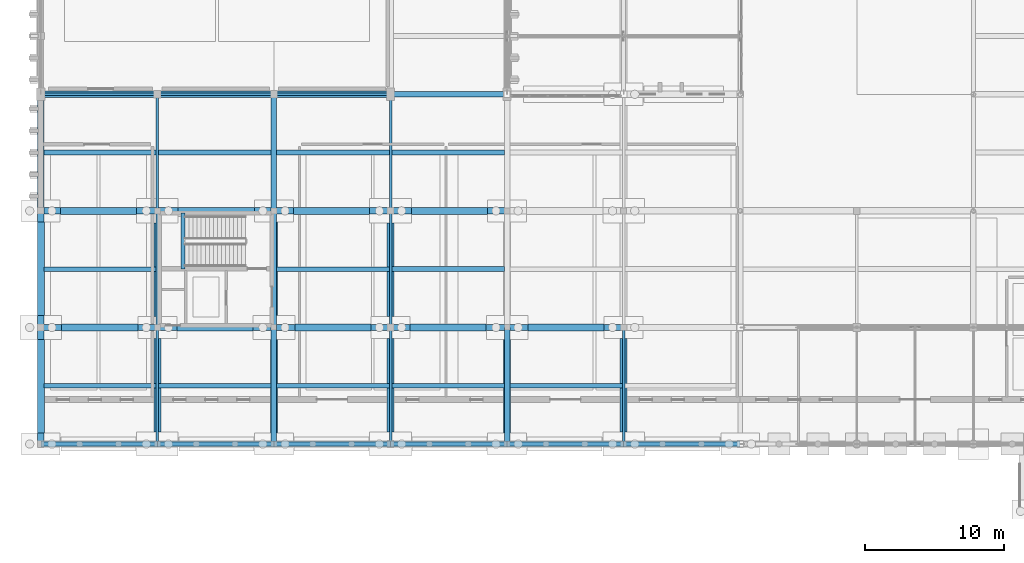
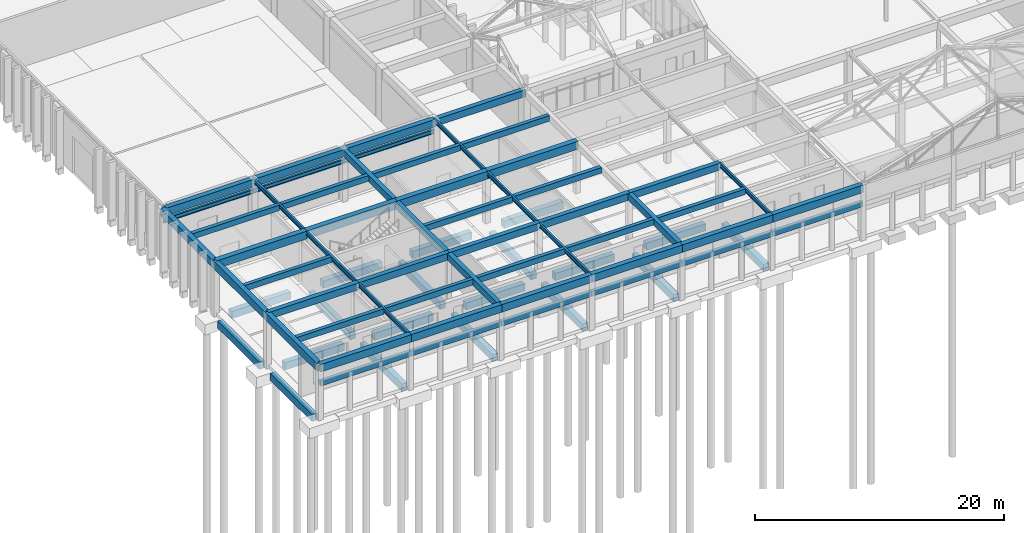
# One storey, part 21 of 143: 74 beams.
"""IFC4 building model written with IfcOpenShell, lengths in metres."""

from ifc_helpers import new_model, si_unit, direction, frame, origin, origin_2d, place, context, subcontext, project, spatial, rectangle, i_section, extrude, material, material_profile, profile_set, type_object, element, save


model = new_model("IFC4")

# Units and contexts
model_context = context("Model", 3, precision=1e-05, world=origin(), true_north=direction((0.0, 1.0)))
body_context = subcontext(model_context, "Body", "Model", "MODEL_VIEW")
ifc_project = project(units=[si_unit("LENGTHUNIT", "METRE"), si_unit("AREAUNIT", "SQUARE_METRE"), si_unit("VOLUMEUNIT", "CUBIC_METRE"), si_unit("PLANEANGLEUNIT", "RADIAN"), si_unit("MASSUNIT", "GRAM", prefix="KILO")], contexts=[model_context])

# Site, building, storey
site_placement = place(None, origin())
site = spatial("IfcSite", under=ifc_project, at=site_placement, CompositionType="ELEMENT")
building_placement = place(site_placement, origin())
building = spatial("IfcBuilding", under=site, at=building_placement, Name="Kveldsbrygga Polytechnic", CompositionType="ELEMENT")
storey_placement = place(building_placement, origin())
storey = spatial("IfcBuildingStorey", under=building, at=storey_placement, Name="L00", CompositionType="ELEMENT", Elevation=0.0)

# Beams
ifc_material_1 = material(Name="Concrete C35/45", Category="concrete")
ifc_material_profile_1 = material_profile(ifc_material_1, rectangle(XDim=0.39990234375, YDim=0.64990234375, at=origin_2d()), Name="RC 400x650")
ifc_profile_set_1 = profile_set([ifc_material_profile_1], Name="Concrete C35/45")
beam_type_1 = type_object("IfcBeamType", Name="BM-RC-400x650", PredefinedType="BEAM", material=ifc_profile_set_1)
beam_1_placement = place(storey_placement, frame((16.800048828125, 0.0, 4.81494140625), z_axis=(0.0, 1.0, 0.0), x_axis=(-1.0, 0.0, 0.0)))
element("IfcBeam", 1, at=beam_1_placement, inside=storey, type_object=beam_type_1, Name="Primary Beam BMY-L00-02-00to01", PredefinedType="BEAM", context=body_context, shape_type="SweptSolid", body=[
    extrude(rectangle(XDim=0.39990234375, YDim=0.64990234375, at=origin_2d()), origin(), (0.0, 0.0, 1.0), 8.39990234375),
])
beam_2_placement = place(storey_placement, frame((16.800048828125, 8.39990234375, 4.81494140625), z_axis=(0.0, 1.0, 0.0), x_axis=(-1.0, 0.0, 0.0)))
element("IfcBeam", 2, at=beam_2_placement, inside=storey, type_object=beam_type_1, Name="Primary Beam BMY-L00-02-01to02", PredefinedType="BEAM", context=body_context, shape_type="SweptSolid", body=[
    extrude(rectangle(XDim=0.39990234375, YDim=0.64990234375, at=origin_2d()), origin(), (0.0, 0.0, 1.0), 8.400146484375),
])
for number, where, z_axis, x_axis, name in (
    (3, (16.800048828125, 16.800048828125, 4.81494140625), (0.0, 1.0, 0.0), (-1.0, 0.0, 0.0), "Primary Beam BMY-L00-02-02to03"),
    (4, (33.60009765625, 0.0, 4.81494140625), (0.0, 1.0, 0.0), (-1.0, 0.0, 0.0), "Primary Beam BMY-L00-04-00to01"),
):
    element("IfcBeam", number, at=place(storey_placement, frame(where, z_axis=z_axis, x_axis=x_axis)), inside=storey, type_object=beam_type_1, Name=name, PredefinedType="BEAM", context=body_context, shape_type="SweptSolid", body=[
        extrude(rectangle(XDim=0.39990234375, YDim=0.64990234375, at=origin_2d()), origin(), (0.0, 0.0, 1.0), 8.39990234375),
    ])
ifc_material_profile_2 = material_profile(ifc_material_1, rectangle(XDim=0.419921875, YDim=0.679931640625, at=origin_2d()), Name="RC 420x680")
ifc_profile_set_2 = profile_set([ifc_material_profile_2], Name="Concrete C35/45")
beam_type_2 = type_object("IfcBeamType", Name="BM-RC-420x680", PredefinedType="BEAM", material=ifc_profile_set_2)
beam_3_placement = place(storey_placement, frame((0.0, 8.39990234375, 4.800048828125), z_axis=(1.0, 0.0, 0.0), x_axis=(0.0, 1.0, 0.0)))
element("IfcBeam", 5, at=beam_3_placement, inside=storey, type_object=beam_type_2, Name="Primary Beam BMX-L00-00to01-01", PredefinedType="BEAM", context=body_context, shape_type="SweptSolid", body=[
    extrude(rectangle(XDim=0.419921875, YDim=0.679931640625, at=origin_2d()), origin(), (0.0, 0.0, 1.0), 8.39990234375),
])
beam_4_placement = place(storey_placement, frame((8.39990234375, 8.39990234375, 4.800048828125), z_axis=(1.0, 0.0, 0.0), x_axis=(0.0, 1.0, 0.0)))
element("IfcBeam", 6, at=beam_4_placement, inside=storey, type_object=beam_type_2, Name="Primary Beam BMX-L00-01to02-01", PredefinedType="BEAM", context=body_context, shape_type="SweptSolid", body=[
    extrude(rectangle(XDim=0.419921875, YDim=0.679931640625, at=origin_2d()), origin(), (0.0, 0.0, 1.0), 8.400146484375),
])
beam_5_placement = place(storey_placement, frame((16.800048828125, 8.39990234375, 4.800048828125), z_axis=(1.0, 0.0, 0.0), x_axis=(0.0, 1.0, 0.0)))
element("IfcBeam", 7, at=beam_5_placement, inside=storey, type_object=beam_type_2, Name="Primary Beam BMX-L00-02to03-01", PredefinedType="BEAM", context=body_context, shape_type="SweptSolid", body=[
    extrude(rectangle(XDim=0.419921875, YDim=0.679931640625, at=origin_2d()), origin(), (0.0, 0.0, 1.0), 8.39990234375),
])
beam_6_placement = place(storey_placement, frame((25.199951171875, 8.39990234375, 4.800048828125), z_axis=(1.0, 0.0, 0.0), x_axis=(0.0, 1.0, 0.0)))
element("IfcBeam", 8, at=beam_6_placement, inside=storey, type_object=beam_type_2, Name="Primary Beam BMX-L00-03to04-01", PredefinedType="BEAM", context=body_context, shape_type="SweptSolid", body=[
    extrude(rectangle(XDim=0.419921875, YDim=0.679931640625, at=origin_2d()), origin(), (0.0, 0.0, 1.0), 8.400146484375),
])
beam_7_placement = place(storey_placement, frame((33.60009765625, 8.39990234375, 4.800048828125), z_axis=(1.0, 0.0, 0.0), x_axis=(0.0, 1.0, 0.0)))
element("IfcBeam", 9, at=beam_7_placement, inside=storey, type_object=beam_type_2, Name="Primary Beam BMX-L00-04to05-01", PredefinedType="BEAM", context=body_context, shape_type="SweptSolid", body=[
    extrude(rectangle(XDim=0.419921875, YDim=0.679931640625, at=origin_2d()), origin(), (0.0, 0.0, 1.0), 8.39990234375),
])
beam_8_placement = place(storey_placement, frame((25.199951171875, 25.199951171875, 4.760009765625), z_axis=(1.0, 0.0, 0.0), x_axis=(0.0, 1.0, 0.0)))
element("IfcBeam", 10, at=beam_8_placement, inside=storey, type_object=beam_type_2, Name="Primary Beam BMX-L00-03to04-03", PredefinedType="BEAM", context=body_context, shape_type="SweptSolid", body=[
    extrude(rectangle(XDim=0.419921875, YDim=0.679931640625, at=origin_2d()), origin(), (0.0, 0.0, 1.0), 8.400146484375),
])
ifc_material_profile_3 = material_profile(ifc_material_1, rectangle(XDim=0.449951171875, YDim=0.75, at=origin_2d()), Name="RC 450x750")
ifc_profile_set_3 = profile_set([ifc_material_profile_3], Name="Concrete C35/45")
beam_type_3 = type_object("IfcBeamType", Name="BM-RC-450x750", PredefinedType="BEAM", material=ifc_profile_set_3)
beam_9_placement = place(storey_placement, frame((0.0, 25.199951171875, 4.764892578125), z_axis=(1.0, 0.0, 0.0), x_axis=(0.0, 1.0, 0.0)))
element("IfcBeam", 11, at=beam_9_placement, inside=storey, type_object=beam_type_3, Name="Primary Beam BMX-L00-00to01-03", PredefinedType="BEAM", context=body_context, shape_type="SweptSolid", body=[
    extrude(rectangle(XDim=0.449951171875, YDim=0.75, at=origin_2d()), origin(), (0.0, 0.0, 1.0), 8.39990234375),
])
beam_10_placement = place(storey_placement, frame((8.39990234375, 25.199951171875, 4.764892578125), z_axis=(1.0, 0.0, 0.0), x_axis=(0.0, 1.0, 0.0)))
element("IfcBeam", 12, at=beam_10_placement, inside=storey, type_object=beam_type_3, Name="Primary Beam BMX-L00-01to02-03", PredefinedType="BEAM", context=body_context, shape_type="SweptSolid", body=[
    extrude(rectangle(XDim=0.449951171875, YDim=0.75, at=origin_2d()), origin(), (0.0, 0.0, 1.0), 8.400146484375),
])
for number, where, z_axis, x_axis, name in (
    (13, (16.800048828125, 25.199951171875, 4.764892578125), (1.0, 0.0, 0.0), (0.0, 1.0, 0.0), "Primary Beam BMX-L00-02to03-03"),
    (14, (0.0, 0.0, 4.764892578125), (0.0, 1.0, 0.0), (-1.0, 0.0, 0.0), "Primary Beam BMY-L00-00-00to01"),
):
    element("IfcBeam", number, at=place(storey_placement, frame(where, z_axis=z_axis, x_axis=x_axis)), inside=storey, type_object=beam_type_3, Name=name, PredefinedType="BEAM", context=body_context, shape_type="SweptSolid", body=[
        extrude(rectangle(XDim=0.449951171875, YDim=0.75, at=origin_2d()), origin(), (0.0, 0.0, 1.0), 8.39990234375),
    ])
beam_11_placement = place(storey_placement, frame((0.0, 8.39990234375, 4.764892578125), z_axis=(0.0, 1.0, 0.0), x_axis=(-1.0, 0.0, 0.0)))
element("IfcBeam", 15, at=beam_11_placement, inside=storey, type_object=beam_type_3, Name="Primary Beam BMY-L00-00-01to02", PredefinedType="BEAM", context=body_context, shape_type="SweptSolid", body=[
    extrude(rectangle(XDim=0.449951171875, YDim=0.75, at=origin_2d()), origin(), (0.0, 0.0, 1.0), 8.400146484375),
])
beam_12_placement = place(storey_placement, frame((0.0, 16.800048828125, 4.764892578125), z_axis=(0.0, 1.0, 0.0), x_axis=(-1.0, 0.0, 0.0)))
element("IfcBeam", 16, at=beam_12_placement, inside=storey, type_object=beam_type_3, Name="Primary Beam BMY-L00-00-02to03", PredefinedType="BEAM", context=body_context, shape_type="SweptSolid", body=[
    extrude(rectangle(XDim=0.449951171875, YDim=0.75, at=origin_2d()), origin(), (0.0, 0.0, 1.0), 8.39990234375),
])
ifc_material_profile_4 = material_profile(ifc_material_1, rectangle(XDim=0.4599609375, YDim=0.739990234375, at=origin_2d()), Name="RC 460x740")
ifc_profile_set_4 = profile_set([ifc_material_profile_4], Name="Concrete C35/45")
beam_type_4 = type_object("IfcBeamType", Name="BM-RC-460x740", PredefinedType="BEAM", material=ifc_profile_set_4)
beam_13_placement = place(storey_placement, frame((0.0, 0.0, 4.77001953125), z_axis=(1.0, 0.0, 0.0), x_axis=(0.0, 1.0, 0.0)))
element("IfcBeam", 17, at=beam_13_placement, inside=storey, type_object=beam_type_4, Name="Primary Beam BMX-L00-00to01-00", PredefinedType="BEAM", context=body_context, shape_type="SweptSolid", body=[
    extrude(rectangle(XDim=0.4599609375, YDim=0.739990234375, at=origin_2d()), origin(), (0.0, 0.0, 1.0), 8.39990234375),
])
beam_14_placement = place(storey_placement, frame((8.39990234375, 0.0, 4.77001953125), z_axis=(1.0, 0.0, 0.0), x_axis=(0.0, 1.0, 0.0)))
element("IfcBeam", 18, at=beam_14_placement, inside=storey, type_object=beam_type_4, Name="Primary Beam BMX-L00-01to02-00", PredefinedType="BEAM", context=body_context, shape_type="SweptSolid", body=[
    extrude(rectangle(XDim=0.4599609375, YDim=0.739990234375, at=origin_2d()), origin(), (0.0, 0.0, 1.0), 8.400146484375),
])
beam_15_placement = place(storey_placement, frame((16.800048828125, 0.0, 4.77001953125), z_axis=(1.0, 0.0, 0.0), x_axis=(0.0, 1.0, 0.0)))
element("IfcBeam", 19, at=beam_15_placement, inside=storey, type_object=beam_type_4, Name="Primary Beam BMX-L00-02to03-00", PredefinedType="BEAM", context=body_context, shape_type="SweptSolid", body=[
    extrude(rectangle(XDim=0.4599609375, YDim=0.739990234375, at=origin_2d()), origin(), (0.0, 0.0, 1.0), 8.39990234375),
])
beam_16_placement = place(storey_placement, frame((25.199951171875, 0.0, 4.77001953125), z_axis=(1.0, 0.0, 0.0), x_axis=(0.0, 1.0, 0.0)))
element("IfcBeam", 20, at=beam_16_placement, inside=storey, type_object=beam_type_4, Name="Primary Beam BMX-L00-03to04-00", PredefinedType="BEAM", context=body_context, shape_type="SweptSolid", body=[
    extrude(rectangle(XDim=0.4599609375, YDim=0.739990234375, at=origin_2d()), origin(), (0.0, 0.0, 1.0), 8.400146484375),
])
for number, where, z_axis, x_axis, name in (
    (21, (33.60009765625, 0.0, 4.77001953125), (1.0, 0.0, 0.0), (0.0, 1.0, 0.0), "Primary Beam BMX-L00-04to05-00"),
    (22, (42.0, 0.0, 4.77001953125), (1.0, 0.0, 0.0), (0.0, 1.0, 0.0), "Primary Beam BMX-L00-05to06-00"),
):
    element("IfcBeam", number, at=place(storey_placement, frame(where, z_axis=z_axis, x_axis=x_axis)), inside=storey, type_object=beam_type_4, Name=name, PredefinedType="BEAM", context=body_context, shape_type="SweptSolid", body=[
        extrude(rectangle(XDim=0.4599609375, YDim=0.739990234375, at=origin_2d()), origin(), (0.0, 0.0, 1.0), 8.39990234375),
    ])
ifc_material_profile_5 = material_profile(ifc_material_1, rectangle(XDim=0.47998046875, YDim=0.780029296875, at=origin_2d()), Name="RC 480x780")
ifc_profile_set_5 = profile_set([ifc_material_profile_5], Name="Concrete C35/45")
beam_type_5 = type_object("IfcBeamType", Name="BM-RC-480x780", PredefinedType="BEAM", material=ifc_profile_set_5)
beam_17_placement = place(storey_placement, frame((0.0, 16.800048828125, 4.75), z_axis=(1.0, 0.0, 0.0), x_axis=(0.0, 1.0, 0.0)))
element("IfcBeam", 23, at=beam_17_placement, inside=storey, type_object=beam_type_5, Name="Primary Beam BMX-L00-00to01-02", PredefinedType="BEAM", context=body_context, shape_type="SweptSolid", body=[
    extrude(rectangle(XDim=0.47998046875, YDim=0.780029296875, at=origin_2d()), origin(), (0.0, 0.0, 1.0), 8.39990234375),
])
beam_18_placement = place(storey_placement, frame((8.39990234375, 16.800048828125, 4.75), z_axis=(1.0, 0.0, 0.0), x_axis=(0.0, 1.0, 0.0)))
element("IfcBeam", 24, at=beam_18_placement, inside=storey, type_object=beam_type_5, Name="Primary Beam BMX-L00-01to02-02", PredefinedType="BEAM", context=body_context, shape_type="SweptSolid", body=[
    extrude(rectangle(XDim=0.47998046875, YDim=0.780029296875, at=origin_2d()), origin(), (0.0, 0.0, 1.0), 8.400146484375),
])
beam_19_placement = place(storey_placement, frame((16.800048828125, 16.800048828125, 4.75), z_axis=(1.0, 0.0, 0.0), x_axis=(0.0, 1.0, 0.0)))
element("IfcBeam", 25, at=beam_19_placement, inside=storey, type_object=beam_type_5, Name="Primary Beam BMX-L00-02to03-02", PredefinedType="BEAM", context=body_context, shape_type="SweptSolid", body=[
    extrude(rectangle(XDim=0.47998046875, YDim=0.780029296875, at=origin_2d()), origin(), (0.0, 0.0, 1.0), 8.39990234375),
])
beam_20_placement = place(storey_placement, frame((25.199951171875, 16.800048828125, 4.75), z_axis=(1.0, 0.0, 0.0), x_axis=(0.0, 1.0, 0.0)))
element("IfcBeam", 26, at=beam_20_placement, inside=storey, type_object=beam_type_5, Name="Primary Beam BMX-L00-03to04-02", PredefinedType="BEAM", context=body_context, shape_type="SweptSolid", body=[
    extrude(rectangle(XDim=0.47998046875, YDim=0.780029296875, at=origin_2d()), origin(), (0.0, 0.0, 1.0), 8.400146484375),
])
ifc_material_2 = material(Name="Steel S355", Category="steel")
ifc_material_profile_6 = material_profile(ifc_material_2, i_section(OverallWidth=0.179931640625, OverallDepth=0.39990234375, WebThickness=0.008544921875, FlangeThickness=0.013427734375, FilletRadius=0.02099609375, at=origin_2d()), Name="IPE 400")
ifc_profile_set_6 = profile_set([ifc_material_profile_6], Name="Steel S355")
beam_type_6 = type_object("IfcBeamType", Name="BM-STL-IPE400", PredefinedType="BEAM", material=ifc_profile_set_6)
beam_21_placement = place(storey_placement, frame((8.39990234375, 0.0, 4.93994140625), z_axis=(0.0, 1.0, 0.0), x_axis=(-1.0, 0.0, 0.0)))
element("IfcBeam", 27, at=beam_21_placement, inside=storey, type_object=beam_type_6, Name="Primary Beam BMY-L00-01-00to01", PredefinedType="BEAM", context=body_context, shape_type="SweptSolid", body=[
    extrude(i_section(OverallWidth=0.179931640625, OverallDepth=0.39990234375, WebThickness=0.008544921875, FlangeThickness=0.013427734375, FilletRadius=0.02099609375, at=origin_2d()), origin(), (0.0, 0.0, 1.0), 8.39990234375),
])
beam_22_placement = place(storey_placement, frame((8.39990234375, 8.39990234375, 4.93994140625), z_axis=(0.0, 1.0, 0.0), x_axis=(-1.0, 0.0, 0.0)))
element("IfcBeam", 28, at=beam_22_placement, inside=storey, type_object=beam_type_6, Name="Primary Beam BMY-L00-01-01to02", PredefinedType="BEAM", context=body_context, shape_type="SweptSolid", body=[
    extrude(i_section(OverallWidth=0.179931640625, OverallDepth=0.39990234375, WebThickness=0.008544921875, FlangeThickness=0.013427734375, FilletRadius=0.02099609375, at=origin_2d()), origin(), (0.0, 0.0, 1.0), 8.400146484375),
])
for number, where, z_axis, x_axis, name in (
    (29, (8.39990234375, 16.800048828125, 4.93994140625), (0.0, 1.0, 0.0), (-1.0, 0.0, 0.0), "Primary Beam BMY-L00-01-02to03"),
    (30, (25.199951171875, 0.0, 4.93994140625), (0.0, 1.0, 0.0), (-1.0, 0.0, 0.0), "Primary Beam BMY-L00-03-00to01"),
):
    element("IfcBeam", number, at=place(storey_placement, frame(where, z_axis=z_axis, x_axis=x_axis)), inside=storey, type_object=beam_type_6, Name=name, PredefinedType="BEAM", context=body_context, shape_type="SweptSolid", body=[
        extrude(i_section(OverallWidth=0.179931640625, OverallDepth=0.39990234375, WebThickness=0.008544921875, FlangeThickness=0.013427734375, FilletRadius=0.02099609375, at=origin_2d()), origin(), (0.0, 0.0, 1.0), 8.39990234375),
    ])
beam_23_placement = place(storey_placement, frame((25.199951171875, 8.39990234375, 4.93994140625), z_axis=(0.0, 1.0, 0.0), x_axis=(-1.0, 0.0, 0.0)))
element("IfcBeam", 31, at=beam_23_placement, inside=storey, type_object=beam_type_6, Name="Primary Beam BMY-L00-03-01to02", PredefinedType="BEAM", context=body_context, shape_type="SweptSolid", body=[
    extrude(i_section(OverallWidth=0.179931640625, OverallDepth=0.39990234375, WebThickness=0.008544921875, FlangeThickness=0.013427734375, FilletRadius=0.02099609375, at=origin_2d()), origin(), (0.0, 0.0, 1.0), 8.400146484375),
])
for number, where, z_axis, x_axis, name in (
    (32, (25.199951171875, 16.800048828125, 4.93994140625), (0.0, 1.0, 0.0), (-1.0, 0.0, 0.0), "Primary Beam BMY-L00-03-02to03"),
    (33, (42.0, 0.0, 4.93994140625), (0.0, 1.0, 0.0), (-1.0, 0.0, 0.0), "Primary Beam BMY-L00-05-00to01"),
    (34, (0.0, 25.199951171875, 3.85009765625), (1.0, 0.0, 0.0), (0.0, 1.0, 0.0), "Workshop Girt Beam BMX-V1GRT-L00-N-00"),
):
    element("IfcBeam", number, at=place(storey_placement, frame(where, z_axis=z_axis, x_axis=x_axis)), inside=storey, type_object=beam_type_6, Name=name, PredefinedType="BEAM", context=body_context, shape_type="SweptSolid", body=[
        extrude(i_section(OverallWidth=0.179931640625, OverallDepth=0.39990234375, WebThickness=0.008544921875, FlangeThickness=0.013427734375, FilletRadius=0.02099609375, at=origin_2d()), origin(), (0.0, 0.0, 1.0), 8.39990234375),
    ])
beam_24_placement = place(storey_placement, frame((8.39990234375, 25.199951171875, 3.85009765625), z_axis=(1.0, 0.0, 0.0), x_axis=(0.0, 1.0, 0.0)))
element("IfcBeam", 35, at=beam_24_placement, inside=storey, type_object=beam_type_6, Name="Workshop Girt Beam BMX-V1GRT-L00-N-01", PredefinedType="BEAM", context=body_context, shape_type="SweptSolid", body=[
    extrude(i_section(OverallWidth=0.179931640625, OverallDepth=0.39990234375, WebThickness=0.008544921875, FlangeThickness=0.013427734375, FilletRadius=0.02099609375, at=origin_2d()), origin(), (0.0, 0.0, 1.0), 8.400146484375),
])
beam_25_placement = place(storey_placement, frame((16.800048828125, 25.199951171875, 3.85009765625), z_axis=(1.0, 0.0, 0.0), x_axis=(0.0, 1.0, 0.0)))
element("IfcBeam", 36, at=beam_25_placement, inside=storey, type_object=beam_type_6, Name="Workshop Girt Beam BMX-V1GRT-L00-N-02", PredefinedType="BEAM", context=body_context, shape_type="SweptSolid", body=[
    extrude(i_section(OverallWidth=0.179931640625, OverallDepth=0.39990234375, WebThickness=0.008544921875, FlangeThickness=0.013427734375, FilletRadius=0.02099609375, at=origin_2d()), origin(), (0.0, 0.0, 1.0), 8.39990234375),
])
ifc_material_profile_7 = material_profile(ifc_material_1, rectangle(XDim=0.5, YDim=0.699951171875, at=origin_2d()), Name="RC 500x700")
ifc_profile_set_7 = profile_set([ifc_material_profile_7], Name="Concrete C35/45")
beam_type_7 = type_object("IfcBeamType", Name="BM-TIE-500x700", PredefinedType="BEAM", material=ifc_profile_set_7)
beam_26_placement = place(storey_placement, frame((0.0, 0.802001953125, -0.669921875), z_axis=(0.0, 1.0, 0.0), x_axis=(-1.0, 0.0, 0.0)))
element("IfcBeam", 37, at=beam_26_placement, inside=storey, type_object=beam_type_7, Name="Ground Tie Beam GB-L00-Y-00-00", PredefinedType="BEAM", context=body_context, shape_type="SweptSolid", body=[
    extrude(rectangle(XDim=0.5, YDim=0.699951171875, at=origin_2d()), origin(), (0.0, 0.0, 1.0), 6.720947265625),
])
beam_27_placement = place(storey_placement, frame((1.501953125, 8.39990234375, -0.669921875), z_axis=(1.0, 0.0, 0.0), x_axis=(0.0, 1.0, 0.0)))
element("IfcBeam", 38, at=beam_27_placement, inside=storey, type_object=beam_type_7, Name="Ground Tie Beam GB-L00-X-00-01", PredefinedType="BEAM", context=body_context, shape_type="SweptSolid", body=[
    extrude(rectangle(XDim=0.5, YDim=0.699951171875, at=origin_2d()), origin(), (0.0, 0.0, 1.0), 5.49609375),
])
beam_28_placement = place(storey_placement, frame((0.0, 9.277099609375, -0.669921875), z_axis=(0.0, 1.0, 0.0), x_axis=(-1.0, 0.0, 0.0)))
element("IfcBeam", 39, at=beam_28_placement, inside=storey, type_object=beam_type_7, Name="Ground Tie Beam GB-L00-Y-00-01", PredefinedType="BEAM", context=body_context, shape_type="SweptSolid", body=[
    extrude(rectangle(XDim=0.5, YDim=0.699951171875, at=origin_2d()), origin(), (0.0, 0.0, 1.0), 6.720947265625),
])
beam_29_placement = place(storey_placement, frame((1.402099609375, 16.800048828125, -0.669921875), z_axis=(1.0, 0.0, 0.0), x_axis=(0.0, 1.0, 0.0)))
element("IfcBeam", 40, at=beam_29_placement, inside=storey, type_object=beam_type_7, Name="Ground Tie Beam GB-L00-X-00-02", PredefinedType="BEAM", context=body_context, shape_type="SweptSolid", body=[
    extrude(rectangle(XDim=0.5, YDim=0.699951171875, at=origin_2d()), origin(), (0.0, 0.0, 1.0), 5.495849609375),
])
beam_30_placement = place(storey_placement, frame((8.39990234375, 0.876953125, -0.669921875), z_axis=(0.0, 1.0, 0.0), x_axis=(-1.0, 0.0, 0.0)))
element("IfcBeam", 41, at=beam_30_placement, inside=storey, type_object=beam_type_7, Name="Ground Tie Beam GB-L00-Y-01-00", PredefinedType="BEAM", context=body_context, shape_type="SweptSolid", body=[
    extrude(rectangle(XDim=0.5, YDim=0.699951171875, at=origin_2d()), origin(), (0.0, 0.0, 1.0), 6.720947265625),
])
beam_31_placement = place(storey_placement, frame((9.802001953125, 8.39990234375, -0.669921875), z_axis=(1.0, 0.0, 0.0), x_axis=(0.0, 1.0, 0.0)))
element("IfcBeam", 42, at=beam_31_placement, inside=storey, type_object=beam_type_7, Name="Ground Tie Beam GB-L00-X-01-01", PredefinedType="BEAM", context=body_context, shape_type="SweptSolid", body=[
    extrude(rectangle(XDim=0.5, YDim=0.699951171875, at=origin_2d()), origin(), (0.0, 0.0, 1.0), 5.49609375),
])
beam_32_placement = place(storey_placement, frame((8.39990234375, 9.201904296875, -0.669921875), z_axis=(0.0, 1.0, 0.0), x_axis=(-1.0, 0.0, 0.0)))
element("IfcBeam", 43, at=beam_32_placement, inside=storey, type_object=beam_type_7, Name="Ground Tie Beam GB-L00-Y-01-01", PredefinedType="BEAM", context=body_context, shape_type="SweptSolid", body=[
    extrude(rectangle(XDim=0.5, YDim=0.699951171875, at=origin_2d()), origin(), (0.0, 0.0, 1.0), 6.72119140625),
])
beam_33_placement = place(storey_placement, frame((9.902099609375, 16.800048828125, -0.669921875), z_axis=(1.0, 0.0, 0.0), x_axis=(0.0, 1.0, 0.0)))
element("IfcBeam", 44, at=beam_33_placement, inside=storey, type_object=beam_type_7, Name="Ground Tie Beam GB-L00-X-01-02", PredefinedType="BEAM", context=body_context, shape_type="SweptSolid", body=[
    extrude(rectangle(XDim=0.5, YDim=0.699951171875, at=origin_2d()), origin(), (0.0, 0.0, 1.0), 5.495849609375),
])
beam_34_placement = place(storey_placement, frame((16.800048828125, 0.802001953125, -0.669921875), z_axis=(0.0, 1.0, 0.0), x_axis=(-1.0, 0.0, 0.0)))
element("IfcBeam", 45, at=beam_34_placement, inside=storey, type_object=beam_type_7, Name="Ground Tie Beam GB-L00-Y-02-00", PredefinedType="BEAM", context=body_context, shape_type="SweptSolid", body=[
    extrude(rectangle(XDim=0.5, YDim=0.699951171875, at=origin_2d()), origin(), (0.0, 0.0, 1.0), 6.720947265625),
])
beam_35_placement = place(storey_placement, frame((18.302001953125, 8.39990234375, -0.669921875), z_axis=(1.0, 0.0, 0.0), x_axis=(0.0, 1.0, 0.0)))
element("IfcBeam", 46, at=beam_35_placement, inside=storey, type_object=beam_type_7, Name="Ground Tie Beam GB-L00-X-02-01", PredefinedType="BEAM", context=body_context, shape_type="SweptSolid", body=[
    extrude(rectangle(XDim=0.5, YDim=0.699951171875, at=origin_2d()), origin(), (0.0, 0.0, 1.0), 5.49609375),
])
beam_36_placement = place(storey_placement, frame((16.800048828125, 9.277099609375, -0.669921875), z_axis=(0.0, 1.0, 0.0), x_axis=(-1.0, 0.0, 0.0)))
element("IfcBeam", 47, at=beam_36_placement, inside=storey, type_object=beam_type_7, Name="Ground Tie Beam GB-L00-Y-02-01", PredefinedType="BEAM", context=body_context, shape_type="SweptSolid", body=[
    extrude(rectangle(XDim=0.5, YDim=0.699951171875, at=origin_2d()), origin(), (0.0, 0.0, 1.0), 6.720947265625),
])
beam_37_placement = place(storey_placement, frame((18.201904296875, 16.800048828125, -0.669921875), z_axis=(1.0, 0.0, 0.0), x_axis=(0.0, 1.0, 0.0)))
element("IfcBeam", 48, at=beam_37_placement, inside=storey, type_object=beam_type_7, Name="Ground Tie Beam GB-L00-X-02-02", PredefinedType="BEAM", context=body_context, shape_type="SweptSolid", body=[
    extrude(rectangle(XDim=0.5, YDim=0.699951171875, at=origin_2d()), origin(), (0.0, 0.0, 1.0), 5.49609375),
])
beam_38_placement = place(storey_placement, frame((25.199951171875, 0.876953125, -0.669921875), z_axis=(0.0, 1.0, 0.0), x_axis=(-1.0, 0.0, 0.0)))
element("IfcBeam", 49, at=beam_38_placement, inside=storey, type_object=beam_type_7, Name="Ground Tie Beam GB-L00-Y-03-00", PredefinedType="BEAM", context=body_context, shape_type="SweptSolid", body=[
    extrude(rectangle(XDim=0.5, YDim=0.699951171875, at=origin_2d()), origin(), (0.0, 0.0, 1.0), 6.720947265625),
])
beam_39_placement = place(storey_placement, frame((26.60205078125, 8.39990234375, -0.669921875), z_axis=(1.0, 0.0, 0.0), x_axis=(0.0, 1.0, 0.0)))
element("IfcBeam", 50, at=beam_39_placement, inside=storey, type_object=beam_type_7, Name="Ground Tie Beam GB-L00-X-03-01", PredefinedType="BEAM", context=body_context, shape_type="SweptSolid", body=[
    extrude(rectangle(XDim=0.5, YDim=0.699951171875, at=origin_2d()), origin(), (0.0, 0.0, 1.0), 5.495849609375),
])
beam_40_placement = place(storey_placement, frame((25.199951171875, 9.201904296875, -0.669921875), z_axis=(0.0, 1.0, 0.0), x_axis=(-1.0, 0.0, 0.0)))
element("IfcBeam", 51, at=beam_40_placement, inside=storey, type_object=beam_type_7, Name="Ground Tie Beam GB-L00-Y-03-01", PredefinedType="BEAM", context=body_context, shape_type="SweptSolid", body=[
    extrude(rectangle(XDim=0.5, YDim=0.699951171875, at=origin_2d()), origin(), (0.0, 0.0, 1.0), 6.72119140625),
])
beam_41_placement = place(storey_placement, frame((26.701904296875, 16.800048828125, -0.669921875), z_axis=(1.0, 0.0, 0.0), x_axis=(0.0, 1.0, 0.0)))
element("IfcBeam", 52, at=beam_41_placement, inside=storey, type_object=beam_type_7, Name="Ground Tie Beam GB-L00-X-03-02", PredefinedType="BEAM", context=body_context, shape_type="SweptSolid", body=[
    extrude(rectangle(XDim=0.5, YDim=0.699951171875, at=origin_2d()), origin(), (0.0, 0.0, 1.0), 5.49609375),
])
beam_42_placement = place(storey_placement, frame((33.60009765625, 0.802001953125, -0.669921875), z_axis=(0.0, 1.0, 0.0), x_axis=(-1.0, 0.0, 0.0)))
element("IfcBeam", 53, at=beam_42_placement, inside=storey, type_object=beam_type_7, Name="Ground Tie Beam GB-L00-Y-04-00", PredefinedType="BEAM", context=body_context, shape_type="SweptSolid", body=[
    extrude(rectangle(XDim=0.5, YDim=0.699951171875, at=origin_2d()), origin(), (0.0, 0.0, 1.0), 6.720947265625),
])
beam_43_placement = place(storey_placement, frame((35.10205078125, 8.39990234375, -0.669921875), z_axis=(1.0, 0.0, 0.0), x_axis=(0.0, 1.0, 0.0)))
element("IfcBeam", 54, at=beam_43_placement, inside=storey, type_object=beam_type_7, Name="Ground Tie Beam GB-L00-X-04-01", PredefinedType="BEAM", context=body_context, shape_type="SweptSolid", body=[
    extrude(rectangle(XDim=0.5, YDim=0.699951171875, at=origin_2d()), origin(), (0.0, 0.0, 1.0), 5.495849609375),
])
beam_44_placement = place(storey_placement, frame((42.0, 0.876953125, -0.669921875), z_axis=(0.0, 1.0, 0.0), x_axis=(-1.0, 0.0, 0.0)))
element("IfcBeam", 55, at=beam_44_placement, inside=storey, type_object=beam_type_7, Name="Ground Tie Beam GB-L00-Y-05-00", PredefinedType="BEAM", context=body_context, shape_type="SweptSolid", body=[
    extrude(rectangle(XDim=0.5, YDim=0.699951171875, at=origin_2d()), origin(), (0.0, 0.0, 1.0), 6.720947265625),
])
ifc_material_profile_8 = material_profile(ifc_material_1, rectangle(XDim=0.340087890625, YDim=0.56005859375, at=origin_2d()), Name="RC 340x560")
ifc_profile_set_8 = profile_set([ifc_material_profile_8], Name="Concrete C35/45")
beam_type_8 = type_object("IfcBeamType", Name="JST-RC-340x560", PredefinedType="JOIST", material=ifc_profile_set_8)
beam_45_placement = place(storey_placement, frame((0.22509765625, 12.60009765625, 4.860107421875), z_axis=(1.0, 0.0, 0.0), x_axis=(0.0, 1.0, 0.0)))
element("IfcBeam", 56, at=beam_45_placement, inside=storey, type_object=beam_type_8, Name="Secondary Joist JST-L00-00-01", PredefinedType="JOIST", context=body_context, shape_type="SweptSolid", body=[
    extrude(rectangle(XDim=0.340087890625, YDim=0.56005859375, at=origin_2d()), origin(), (0.0, 0.0, 1.0), 8.0849609375),
])
for number, where, z_axis, x_axis, name in (
    (57, (8.489990234375, 4.199951171875, 4.860107421875), (1.0, 0.0, 0.0), (0.0, 1.0, 0.0), "Secondary Joist JST-L00-01-00"),
    (58, (8.489990234375, 21.0, 4.860107421875), (1.0, 0.0, 0.0), (0.0, 1.0, 0.0), "Secondary Joist JST-L00-01-02"),
    (59, (17.0, 12.60009765625, 4.860107421875), (1.0, 0.0, 0.0), (0.0, 1.0, 0.0), "Secondary Joist JST-L00-02-01"),
):
    element("IfcBeam", number, at=place(storey_placement, frame(where, z_axis=z_axis, x_axis=x_axis)), inside=storey, type_object=beam_type_8, Name=name, PredefinedType="JOIST", context=body_context, shape_type="SweptSolid", body=[
        extrude(rectangle(XDim=0.340087890625, YDim=0.56005859375, at=origin_2d()), origin(), (0.0, 0.0, 1.0), 8.110107421875),
    ])
for number, where, z_axis, x_axis, name in (
    (60, (25.2900390625, 4.199951171875, 4.860107421875), (1.0, 0.0, 0.0), (0.0, 1.0, 0.0), "Secondary Joist JST-L00-03-00"),
    (61, (25.2900390625, 21.0, 4.860107421875), (1.0, 0.0, 0.0), (0.0, 1.0, 0.0), "Secondary Joist JST-L00-03-02"),
):
    element("IfcBeam", number, at=place(storey_placement, frame(where, z_axis=z_axis, x_axis=x_axis)), inside=storey, type_object=beam_type_8, Name=name, PredefinedType="JOIST", context=body_context, shape_type="SweptSolid", body=[
        extrude(rectangle(XDim=0.340087890625, YDim=0.56005859375, at=origin_2d()), origin(), (0.0, 0.0, 1.0), 8.10986328125),
    ])
ifc_material_profile_9 = material_profile(ifc_material_1, rectangle(XDim=0.35009765625, YDim=0.550048828125, at=origin_2d()), Name="RC 350x550")
ifc_profile_set_9 = profile_set([ifc_material_profile_9], Name="Concrete C35/45")
beam_type_9 = type_object("IfcBeamType", Name="JST-RC-350x550", PredefinedType="JOIST", material=ifc_profile_set_9)
for number, where, z_axis, x_axis, name in (
    (62, (0.22509765625, 4.199951171875, 4.864990234375), (1.0, 0.0, 0.0), (0.0, 1.0, 0.0), "Secondary Joist JST-L00-00-00"),
    (63, (0.22509765625, 21.0, 4.864990234375), (1.0, 0.0, 0.0), (0.0, 1.0, 0.0), "Secondary Joist JST-L00-00-02"),
):
    element("IfcBeam", number, at=place(storey_placement, frame(where, z_axis=z_axis, x_axis=x_axis)), inside=storey, type_object=beam_type_9, Name=name, PredefinedType="JOIST", context=body_context, shape_type="SweptSolid", body=[
        extrude(rectangle(XDim=0.35009765625, YDim=0.550048828125, at=origin_2d()), origin(), (0.0, 0.0, 1.0), 8.0849609375),
    ])
for number, where, z_axis, x_axis, name in (
    (64, (17.0, 4.199951171875, 4.864990234375), (1.0, 0.0, 0.0), (0.0, 1.0, 0.0), "Secondary Joist JST-L00-02-00"),
    (65, (17.0, 21.0, 4.864990234375), (1.0, 0.0, 0.0), (0.0, 1.0, 0.0), "Secondary Joist JST-L00-02-02"),
):
    element("IfcBeam", number, at=place(storey_placement, frame(where, z_axis=z_axis, x_axis=x_axis)), inside=storey, type_object=beam_type_9, Name=name, PredefinedType="JOIST", context=body_context, shape_type="SweptSolid", body=[
        extrude(rectangle(XDim=0.35009765625, YDim=0.550048828125, at=origin_2d()), origin(), (0.0, 0.0, 1.0), 8.110107421875),
    ])
for number, where, z_axis, x_axis, name in (
    (66, (25.2900390625, 12.60009765625, 4.864990234375), (1.0, 0.0, 0.0), (0.0, 1.0, 0.0), "Secondary Joist JST-L00-03-01"),
    (67, (33.800048828125, 4.199951171875, 4.864990234375), (1.0, 0.0, 0.0), (0.0, 1.0, 0.0), "Secondary Joist JST-L00-04-00"),
):
    element("IfcBeam", number, at=place(storey_placement, frame(where, z_axis=z_axis, x_axis=x_axis)), inside=storey, type_object=beam_type_9, Name=name, PredefinedType="JOIST", context=body_context, shape_type="SweptSolid", body=[
        extrude(rectangle(XDim=0.35009765625, YDim=0.550048828125, at=origin_2d()), origin(), (0.0, 0.0, 1.0), 8.10986328125),
    ])
ifc_material_profile_10 = material_profile(ifc_material_1, rectangle(XDim=0.300048828125, YDim=0.5, at=origin_2d()), Name="RC 300x500")
ifc_profile_set_10 = profile_set([ifc_material_profile_10], Name="Concrete C35/45")
beam_type_10 = type_object("IfcBeamType", Name="LNT-RC-300x500", PredefinedType="LINTEL", material=ifc_profile_set_10)
beam_46_placement = place(storey_placement, frame((10.25, 12.6298828125, 2.27001953125), z_axis=(0.0, 1.0, 0.0), x_axis=(-1.0, 0.0, 0.0)))
element("IfcBeam", 68, at=beam_46_placement, inside=storey, type_object=beam_type_10, Name="Stair Landing Support Beam C9-L00-LNDB-1-1", PredefinedType="LINTEL", context=body_context, shape_type="SweptSolid", body=[
    extrude(rectangle(XDim=0.300048828125, YDim=0.5, at=origin_2d()), origin(), (0.0, 0.0, 1.0), 4.02001953125),
])
beam_47_placement = place(storey_placement, frame((0.0, 0.0, 3.199951171875), z_axis=(1.0, 0.0, 0.0), x_axis=(0.0, 1.0, 0.0)))
element("IfcBeam", 69, at=beam_47_placement, inside=storey, type_object=beam_type_10, Name="Harbour Colonnade Arch Lintel Beam BM-PROM-HDR-00", PredefinedType="LINTEL", context=body_context, shape_type="SweptSolid", body=[
    extrude(rectangle(XDim=0.300048828125, YDim=0.5, at=origin_2d()), origin(), (0.0, 0.0, 1.0), 8.39990234375),
])
beam_48_placement = place(storey_placement, frame((8.39990234375, 0.0, 3.199951171875), z_axis=(1.0, 0.0, 0.0), x_axis=(0.0, 1.0, 0.0)))
element("IfcBeam", 70, at=beam_48_placement, inside=storey, type_object=beam_type_10, Name="Harbour Colonnade Arch Lintel Beam BM-PROM-HDR-01", PredefinedType="LINTEL", context=body_context, shape_type="SweptSolid", body=[
    extrude(rectangle(XDim=0.300048828125, YDim=0.5, at=origin_2d()), origin(), (0.0, 0.0, 1.0), 8.400146484375),
])
beam_49_placement = place(storey_placement, frame((16.800048828125, 0.0, 3.199951171875), z_axis=(1.0, 0.0, 0.0), x_axis=(0.0, 1.0, 0.0)))
element("IfcBeam", 71, at=beam_49_placement, inside=storey, type_object=beam_type_10, Name="Harbour Colonnade Arch Lintel Beam BM-PROM-HDR-02", PredefinedType="LINTEL", context=body_context, shape_type="SweptSolid", body=[
    extrude(rectangle(XDim=0.300048828125, YDim=0.5, at=origin_2d()), origin(), (0.0, 0.0, 1.0), 8.39990234375),
])
beam_50_placement = place(storey_placement, frame((25.199951171875, 0.0, 3.199951171875), z_axis=(1.0, 0.0, 0.0), x_axis=(0.0, 1.0, 0.0)))
element("IfcBeam", 72, at=beam_50_placement, inside=storey, type_object=beam_type_10, Name="Harbour Colonnade Arch Lintel Beam BM-PROM-HDR-03", PredefinedType="LINTEL", context=body_context, shape_type="SweptSolid", body=[
    extrude(rectangle(XDim=0.300048828125, YDim=0.5, at=origin_2d()), origin(), (0.0, 0.0, 1.0), 8.400146484375),
])
for number, where, z_axis, x_axis, name in (
    (73, (33.60009765625, 0.0, 3.199951171875), (1.0, 0.0, 0.0), (0.0, 1.0, 0.0), "Harbour Colonnade Arch Lintel Beam BM-PROM-HDR-04"),
    (74, (42.0, 0.0, 3.199951171875), (1.0, 0.0, 0.0), (0.0, 1.0, 0.0), "Harbour Colonnade Arch Lintel Beam BM-PROM-HDR-05"),
):
    element("IfcBeam", number, at=place(storey_placement, frame(where, z_axis=z_axis, x_axis=x_axis)), inside=storey, type_object=beam_type_10, Name=name, PredefinedType="LINTEL", context=body_context, shape_type="SweptSolid", body=[
        extrude(rectangle(XDim=0.300048828125, YDim=0.5, at=origin_2d()), origin(), (0.0, 0.0, 1.0), 8.39990234375),
    ])

save(model, "model.ifc")
